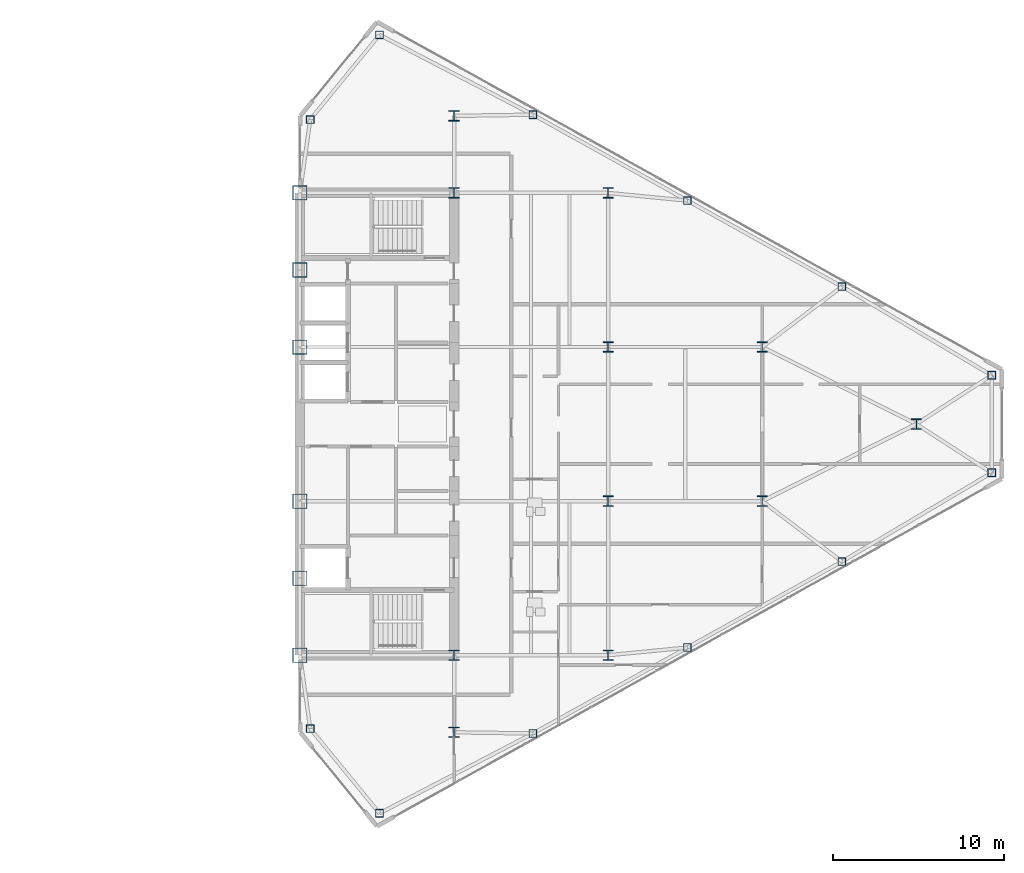
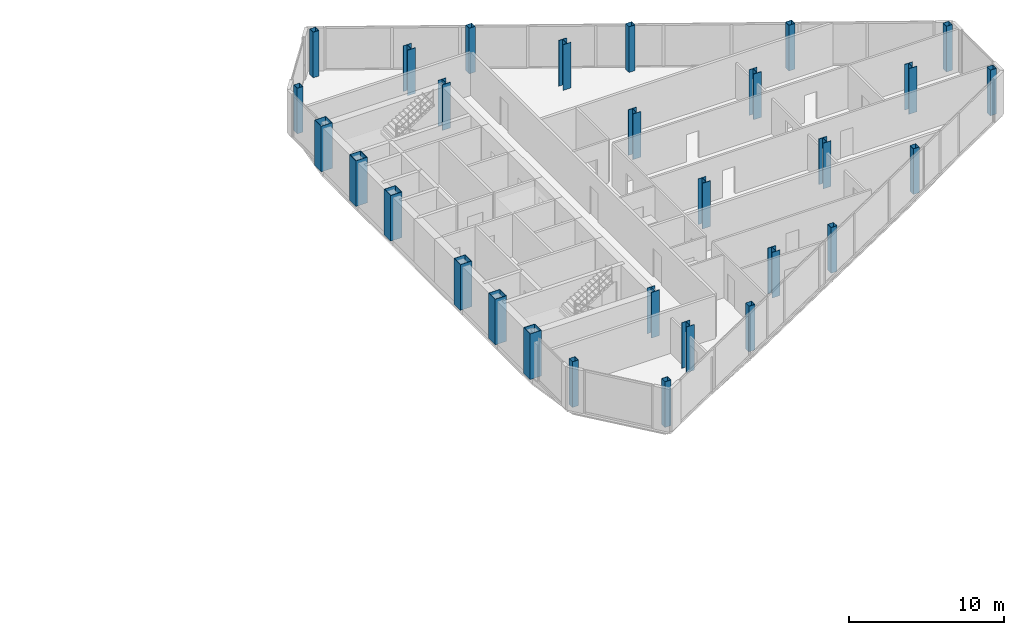
# One storey, part 2 of 26: 29 columns.
"""IFC4 building model written with IfcOpenShell, lengths in metres."""

from ifc_helpers import new_model, si_unit, direction, frame, origin, origin_2d, place, context, subcontext, project, spatial, hollow_rectangle, i_section, extrude, source, transform, mapped, material, material_profile, profile_set, type_object, type_shapes, element, save


model = new_model("IFC4")

# Units and contexts
model_context = context("Model", 3, precision=1e-05, world=origin(), true_north=direction((0.0, 1.0)))
body_context = subcontext(model_context, "Body", "Model", "MODEL_VIEW")
ifc_project = project(units=[si_unit("LENGTHUNIT", "METRE"), si_unit("AREAUNIT", "SQUARE_METRE"), si_unit("VOLUMEUNIT", "CUBIC_METRE"), si_unit("PLANEANGLEUNIT", "RADIAN"), si_unit("MASSUNIT", "GRAM", prefix="KILO")], contexts=[model_context])

# Site, building, storey
site_placement = place(None, origin())
site = spatial("IfcSite", under=ifc_project, at=site_placement, CompositionType="ELEMENT")
building_placement = place(site_placement, origin())
building = spatial("IfcBuilding", under=site, at=building_placement, Name="Seokmaru Belvedere", CompositionType="ELEMENT")
storey_placement = place(building_placement, frame((0.0, 0.0, 167.10009765625)))
storey = spatial("IfcBuildingStorey", under=building, at=storey_placement, Name="L44", CompositionType="ELEMENT", Elevation=167.10009765625)

# Columns
ifc_material_1 = material(Name="Steel SM355 (355 MPa)", Category="steel")
ifc_material_profile_1 = material_profile(ifc_material_1, hollow_rectangle(XDim=0.449951171875, YDim=0.449951171875, WallThickness=0.01806640625, at=origin_2d()), Name="HSS-450x450x18")
ifc_profile_set_1 = profile_set([ifc_material_profile_1], Name="Steel SM355 (355 MPa)")
column_type_1 = type_object("IfcColumnType", Name="Perimeter Facet Column HSS-450", PredefinedType="COLUMN", material=ifc_profile_set_1)
shared_shape_1 = source(origin(), body_context, "Body", "SweptSolid", [
    extrude(hollow_rectangle(XDim=0.449951171875, YDim=0.449951171875, WallThickness=0.01806640625, at=origin_2d()), origin(), (0.0, 0.0, 1.0), 3.599853515625),
])
type_shapes(column_type_1, [shared_shape_1])
for number, where, z_axis, x_axis, name in (
    (1, (32.146728515625, -22.731689453125, 0.0), (0.0, 0.0, 1.0), (1.0, 0.0, 0.0), "L44 Column EF1"),
    (2, (67.89990234375, -2.84716796875, 0.0), (0.0, 0.0, 1.0), (1.0, 0.0, 0.0), "L44 Column EF2"),
    (3, (67.89990234375, 2.84716796875, 0.0), (0.0, 0.0, 1.0), (1.0, 0.0, 0.0), "L44 Column EF3"),
    (4, (32.146728515625, 22.731689453125, 0.0), (0.0, 0.0, 1.0), (1.0, 0.0, 0.0), "L44 Column EF4"),
    (5, (28.10009765625, 17.785888671875, 0.0), (0.0, 0.0, 1.0), (1.0, 0.0, 0.0), "L44 Column EF5"),
    (6, (28.10009765625, -17.785888671875, 0.0), (0.0, 0.0, 1.0), (1.0, 0.0, 0.0), "L44 Column EF6"),
    (7, (41.103759765625, -18.07080078125, 0.0), (0.0, 0.0, 1.0), (1.0, 0.0, 0.0), "L44 Column EFLK_S1"),
    (8, (50.129150390625, -13.051025390625, 0.0), (0.0, 0.0, 1.0), (1.0, 0.0, 0.0), "L44 Column EFLK_S2"),
    (9, (59.154541015625, -8.031494140625, 0.0), (0.0, 0.0, 1.0), (1.0, 0.0, 0.0), "L44 Column EFLK_S3"),
    (10, (41.103759765625, 18.07080078125, 0.0), (0.0, 0.0, 1.0), (1.0, 0.0, 0.0), "L44 Column EFLK_N1"),
    (11, (50.129150390625, 13.051025390625, 0.0), (0.0, 0.0, 1.0), (1.0, 0.0, 0.0), "L44 Column EFLK_N2"),
    (12, (59.154541015625, 8.031494140625, 0.0), (0.0, 0.0, 1.0), (1.0, 0.0, 0.0), "L44 Column EFLK_N3"),
):
    element("IfcColumn", number, at=place(storey_placement, frame(where, z_axis=z_axis, x_axis=x_axis)), inside=storey, type_object=column_type_1, Name=name, PredefinedType="COLUMN", context=body_context, shape_type="MappedRepresentation", body=[
        mapped(shared_shape_1, transform((0.0, 0.0, 0.0), scale=1.0)),
    ])
ifc_material_2 = material(Name="Steel HSA650 (650 MPa)", Category="steel")
ifc_material_profile_2 = material_profile(ifc_material_2, hollow_rectangle(XDim=0.85009765625, YDim=0.85009765625, WallThickness=0.035888671875, at=origin_2d()), Name="BOX-850x850x36")
ifc_profile_set_2 = profile_set([ifc_material_profile_2], Name="Steel HSA650 (650 MPa)")
column_type_2 = type_object("IfcColumnType", Name="Portal Spine Column BOX-850", PredefinedType="COLUMN", material=ifc_profile_set_2)
shared_shape_2 = source(origin(), body_context, "Body", "SweptSolid", [
    extrude(hollow_rectangle(XDim=0.85009765625, YDim=0.85009765625, WallThickness=0.035888671875, at=origin_2d()), origin(), (0.0, 0.0, 1.0), 3.599853515625),
])
type_shapes(column_type_2, [shared_shape_2])
for number, where, z_axis, x_axis, name in (
    (13, (27.5, -13.5, 0.0), (0.0, 0.0, 1.0), (1.0, 0.0, 0.0), "L44 Column ES1"),
    (14, (27.5, -9.0, 0.0), (0.0, 0.0, 1.0), (1.0, 0.0, 0.0), "L44 Column ES2"),
    (15, (27.5, -4.5, 0.0), (0.0, 0.0, 1.0), (1.0, 0.0, 0.0), "L44 Column ES3"),
    (16, (27.5, 4.5, 0.0), (0.0, 0.0, 1.0), (1.0, 0.0, 0.0), "L44 Column ES4"),
    (17, (27.5, 9.0, 0.0), (0.0, 0.0, 1.0), (1.0, 0.0, 0.0), "L44 Column ES5"),
    (18, (27.5, 13.5, 0.0), (0.0, 0.0, 1.0), (1.0, 0.0, 0.0), "L44 Column ES6"),
):
    element("IfcColumn", number, at=place(storey_placement, frame(where, z_axis=z_axis, x_axis=x_axis)), inside=storey, type_object=column_type_2, Name=name, PredefinedType="COLUMN", context=body_context, shape_type="MappedRepresentation", body=[
        mapped(shared_shape_2, transform((0.0, 0.0, 0.0), scale=1.0)),
    ])
ifc_material_profile_3 = material_profile(ifc_material_1, i_section(OverallWidth=0.60009765625, OverallDepth=0.60009765625, WebThickness=0.02490234375, FlangeThickness=0.0400390625, at=origin_2d()), Name="H-600x600x25x40")
ifc_profile_set_3 = profile_set([ifc_material_profile_3], Name="Steel SM355 (355 MPa)")
column_type_3 = type_object("IfcColumnType", Name="Upper-Mid Interior Column H-600", PredefinedType="COLUMN", material=ifc_profile_set_3)
shared_shape_3 = source(origin(), body_context, "Body", "SweptSolid", [
    extrude(i_section(OverallWidth=0.60009765625, OverallDepth=0.60009765625, WebThickness=0.02490234375, FlangeThickness=0.0400390625, at=origin_2d()), origin(), (0.0, 0.0, 1.0), 3.599853515625),
])
type_shapes(column_type_3, [shared_shape_3])
for number, where, z_axis, x_axis, name in (
    (19, (36.5, -18.0, 0.0), (0.0, 0.0, 1.0), (1.0, 0.0, 0.0), "L44 Column EC1"),
    (20, (36.5, -13.5, 0.0), (0.0, 0.0, 1.0), (1.0, 0.0, 0.0), "L44 Column EC2"),
    (21, (36.5, 13.5, 0.0), (0.0, 0.0, 1.0), (1.0, 0.0, 0.0), "L44 Column EC3"),
    (22, (36.5, 18.0, 0.0), (0.0, 0.0, 1.0), (1.0, 0.0, 0.0), "L44 Column EC4"),
    (23, (45.5, -13.5, 0.0), (0.0, 0.0, 1.0), (1.0, 0.0, 0.0), "L44 Column EG5_1"),
    (24, (45.5, -4.5, 0.0), (0.0, 0.0, 1.0), (1.0, 0.0, 0.0), "L44 Column EG5_2"),
    (25, (45.5, 4.5, 0.0), (0.0, 0.0, 1.0), (1.0, 0.0, 0.0), "L44 Column EG5_3"),
    (26, (45.5, 13.5, 0.0), (0.0, 0.0, 1.0), (1.0, 0.0, 0.0), "L44 Column EG5_4"),
    (27, (54.5, -4.5, 0.0), (0.0, 0.0, 1.0), (1.0, 0.0, 0.0), "L44 Column EG4P_1"),
    (28, (54.5, 4.5, 0.0), (0.0, 0.0, 1.0), (1.0, 0.0, 0.0), "L44 Column EG4P_2"),
    (29, (63.5, 0.0, 0.0), (0.0, 0.0, 1.0), (1.0, 0.0, 0.0), "L44 Column EG3P_1"),
):
    element("IfcColumn", number, at=place(storey_placement, frame(where, z_axis=z_axis, x_axis=x_axis)), inside=storey, type_object=column_type_3, Name=name, PredefinedType="COLUMN", context=body_context, shape_type="MappedRepresentation", body=[
        mapped(shared_shape_3, transform((0.0, 0.0, 0.0), scale=1.0)),
    ])

save(model, "model.ifc")
